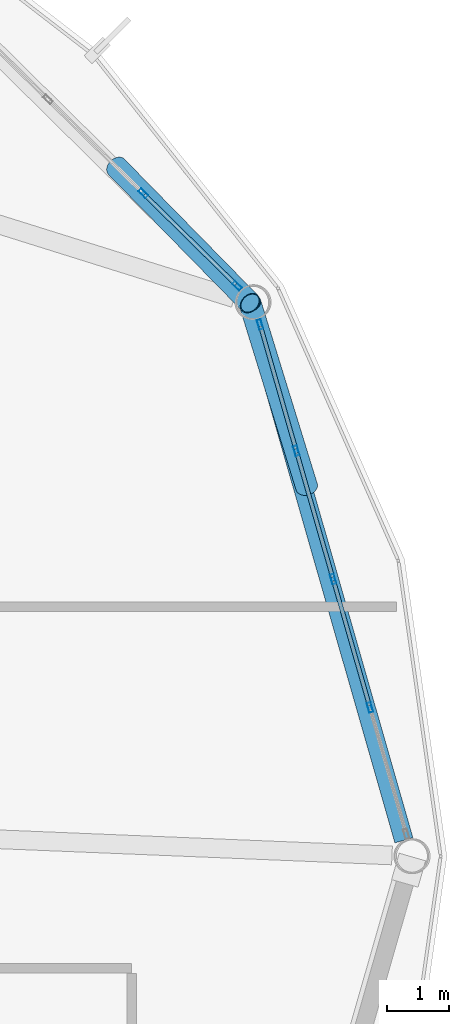
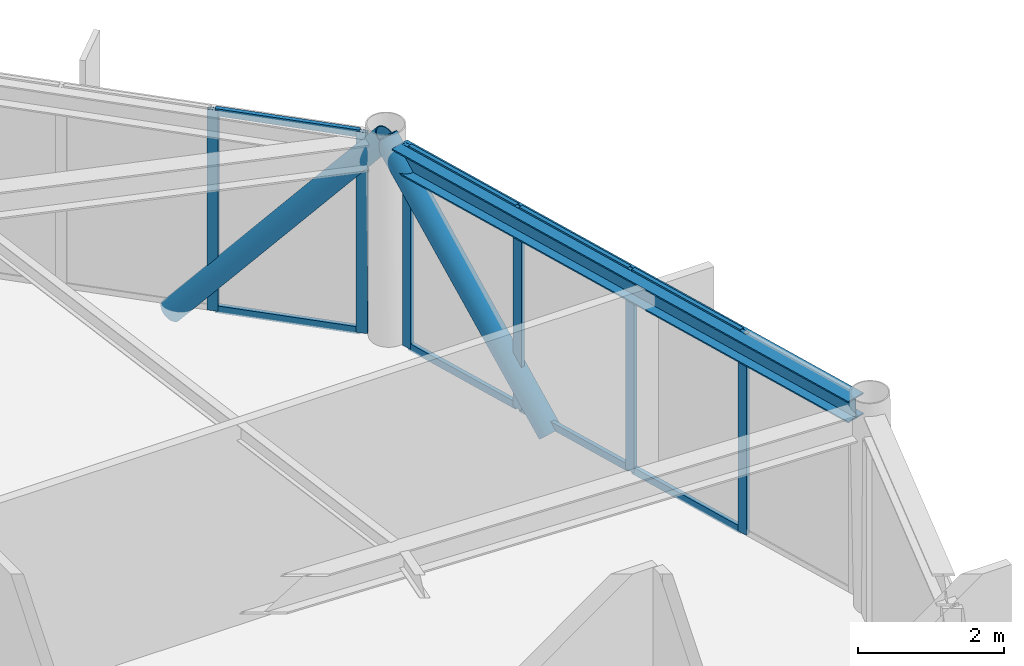
# One storey, part 17 of 26: 16 members, 1 beam, 2 elements without a shape of their own.
"""IFC4 building model written with IfcOpenShell, lengths in metres."""

from ifc_helpers import new_model, si_unit, direction, frame, origin, origin_2d, place, context, subcontext, project, spatial, hollow_rectangle, hollow_circle, i_section, extrude, material, layer, layer_set, material_profile, profile_set, type_object, element, aggregate, save


model = new_model("IFC4")

# Units and contexts
model_context = context("Model", 3, precision=1e-05, world=origin(), true_north=direction((0.0, 1.0)))
body_context = subcontext(model_context, "Body", "Model", "MODEL_VIEW")
ifc_project = project(units=[si_unit("LENGTHUNIT", "METRE"), si_unit("AREAUNIT", "SQUARE_METRE"), si_unit("VOLUMEUNIT", "CUBIC_METRE"), si_unit("PLANEANGLEUNIT", "RADIAN"), si_unit("MASSUNIT", "GRAM", prefix="KILO")], contexts=[model_context])

# Site, building, storey
site_placement = place(None, origin())
site = spatial("IfcSite", under=ifc_project, at=site_placement, CompositionType="ELEMENT")
building_placement = place(site_placement, origin())
building = spatial("IfcBuilding", under=site, at=building_placement, Name="Varnakorn Sky Granary", CompositionType="ELEMENT")
storey_placement = place(building_placement, frame((0.0, 0.0, 267.0)))
storey = spatial("IfcBuildingStorey", under=building, at=storey_placement, Name="L68", CompositionType="ELEMENT", Elevation=267.0)

# Beam
ifc_material_1 = material(Name="Steel S355JR", Category="steel")
ifc_material_profile_1 = material_profile(ifc_material_1, i_section(OverallWidth=0.300048828125, OverallDepth=0.360107421875, WebThickness=0.012451171875, FlangeThickness=0.0224609375, at=origin_2d()), Name="HE 360 B")
ifc_profile_set_1 = profile_set([ifc_material_profile_1], Name="Steel S355JR")
beam_type = type_object("IfcBeamType", Name="BM-SPD-Z5", PredefinedType="SPANDREL", material=ifc_profile_set_1)
beam_placement = place(storey_placement, frame((22.8662109375, 0.25439453125, 3.179931640625), z_axis=(-0.275429392242, 0.96132130419, 0.0), x_axis=(-0.96132130419, -0.275429392242, 0.0)))
element("IfcBeam", 1, at=beam_placement, inside=storey, type_object=beam_type, Name="Perimeter Spandrel Ring Beam RB01 L68", PredefinedType="SPANDREL", context=body_context, shape_type="SweptSolid", body=[
    extrude(i_section(OverallWidth=0.300048828125, OverallDepth=0.360107421875, WebThickness=0.012451171875, FlangeThickness=0.0224609375, at=origin_2d()), origin(), (0.0, 0.0, 1.0), 8.694580078125),
])

# Curtain wall, members
ifc_material_2 = material(Name="Anodised Bronze Aluminium Alloy 6063-T6", Category="aluminium")
ifc_layer = layer(ifc_material_2, 0.159912109375, Name="Anodised Bronze Aluminium Alloy 6063-T6")
ifc_layer_set = layer_set([ifc_layer], Name="Anodised Bronze Aluminium Alloy 6063-T6")
curtain_wall_type = type_object("IfcCurtainWallType", Name="CW-OFF-1", PredefinedType="USERDEFINED", material=ifc_layer_set)
curtain_wall_1_placement = place(storey_placement, origin())
curtain_wall_1 = element("IfcCurtainWall", 2, at=curtain_wall_1_placement, inside=storey, type_object=curtain_wall_type, Name="Unitised Curtain Wall CW6 CW-L68-B01", ObjectType="CURTAIN WALL", PredefinedType="USERDEFINED")
ifc_material_profile_2 = material_profile(ifc_material_2, hollow_rectangle(XDim=0.06494140625, YDim=0.159912109375, WallThickness=0.00341796875, at=origin_2d()), Name="ALU MULL 65x160")
ifc_profile_set_2 = profile_set([ifc_material_profile_2], Name="Anodised Bronze Aluminium Alloy 6063-T6")
member_type_1 = type_object("IfcMemberType", Name="CW-OFF-1-MULL", PredefinedType="MULLION", material=ifc_profile_set_2)
member_1_placement = place(storey_placement, frame((20.55908203125, 8.5263671875, 0.0), z_axis=(0.0, 0.0, 1.0), x_axis=(0.961203382368, 0.275840638274, 0.0)))
member_1 = element("IfcMember", 3, at=member_1_placement, type_object=member_type_1, Name="CW6 mullion 1", PredefinedType="MULLION", context=body_context, shape_type="SweptSolid", body=[
    extrude(hollow_rectangle(XDim=0.06494140625, YDim=0.159912109375, WallThickness=0.00341796875, at=origin_2d()), origin(), (0.0, 0.0, 1.0), 3.360107421875),
])
member_2_placement = place(storey_placement, frame((21.140869140625, 6.499755859375, 0.0), z_axis=(0.0, 0.0, 1.0), x_axis=(0.961203382368, 0.275840638274, 0.0)))
member_2 = element("IfcMember", 4, at=member_2_placement, type_object=member_type_1, Name="CW6 mullion 2", PredefinedType="MULLION", context=body_context, shape_type="SweptSolid", body=[
    extrude(hollow_rectangle(XDim=0.06494140625, YDim=0.159912109375, WallThickness=0.00341796875, at=origin_2d()), origin(), (0.0, 0.0, 1.0), 3.360107421875),
])
member_3_placement = place(storey_placement, frame((21.731201171875, 4.44189453125, 0.0), z_axis=(0.0, 0.0, 1.0), x_axis=(0.961203382368, 0.275840638274, 0.0)))
member_3 = element("IfcMember", 5, at=member_3_placement, type_object=member_type_1, Name="CW6 mullion 3", PredefinedType="MULLION", context=body_context, shape_type="SweptSolid", body=[
    extrude(hollow_rectangle(XDim=0.06494140625, YDim=0.159912109375, WallThickness=0.00341796875, at=origin_2d()), origin(), (0.0, 0.0, 1.0), 3.360107421875),
])
member_4_placement = place(storey_placement, frame((22.32177734375, 2.384033203125, 0.0), z_axis=(0.0, 0.0, 1.0), x_axis=(0.961203382368, 0.275840638274, 0.0)))
member_4 = element("IfcMember", 6, at=member_4_placement, type_object=member_type_1, Name="CW6 mullion 4", PredefinedType="MULLION", context=body_context, shape_type="SweptSolid", body=[
    extrude(hollow_rectangle(XDim=0.06494140625, YDim=0.159912109375, WallThickness=0.00341796875, at=origin_2d()), origin(), (0.0, 0.0, 1.0), 3.360107421875),
])

curtain_wall_2_placement = place(storey_placement, origin())
curtain_wall_2 = element("IfcCurtainWall", 7, at=curtain_wall_2_placement, inside=storey, type_object=curtain_wall_type, Name="Unitised Curtain Wall CW6 CW-L68-B02", ObjectType="CURTAIN WALL", PredefinedType="USERDEFINED")
member_5_placement = place(storey_placement, frame((18.686767578125, 10.629150390625, 0.0), z_axis=(0.0, 0.0, 1.0), x_axis=(0.702091405728, 0.71208683319, 0.0)))
member_5 = element("IfcMember", 8, at=member_5_placement, type_object=member_type_1, Name="CW6 mullion 4", PredefinedType="MULLION", context=body_context, shape_type="SweptSolid", body=[
    extrude(hollow_rectangle(XDim=0.06494140625, YDim=0.159912109375, WallThickness=0.00341796875, at=origin_2d()), origin(), (0.0, 0.0, 1.0), 3.360107421875),
])
member_6_placement = place(storey_placement, frame((20.191650390625, 9.145263671875, 0.0), z_axis=(0.0, 0.0, 1.0), x_axis=(0.702091405728, 0.71208683319, 0.0)))
member_6 = element("IfcMember", 9, at=member_6_placement, type_object=member_type_1, Name="CW6 mullion 5", PredefinedType="MULLION", context=body_context, shape_type="SweptSolid", body=[
    extrude(hollow_rectangle(XDim=0.06494140625, YDim=0.159912109375, WallThickness=0.00341796875, at=origin_2d()), origin(), (0.0, 0.0, 1.0), 3.360107421875),
])

# Member
ifc_material_profile_3 = material_profile(ifc_material_2, hollow_rectangle(XDim=0.06494140625, YDim=0.1201171875, WallThickness=0.00341796875, at=origin_2d()), Name="ALU TRAN 65x120")
ifc_profile_set_3 = profile_set([ifc_material_profile_3], Name="Anodised Bronze Aluminium Alloy 6063-T6")
member_type_2 = type_object("IfcMemberType", Name="CW-OFF-1-TRAN", PredefinedType="USERDEFINED", material=ifc_profile_set_3)
member_7_placement = place(storey_placement, frame((20.568115234375, 8.4951171875, 0.032470703125), z_axis=(0.275872871365, -0.961194131716, 0.0), x_axis=(0.961194131716, 0.275872871365, 0.0)))
member_7 = element("IfcMember", 10, at=member_7_placement, type_object=member_type_2, Name="CW6 transom 1.1", ObjectType="TRANSOM", PredefinedType="USERDEFINED", context=body_context, shape_type="SweptSolid", body=[
    extrude(hollow_rectangle(XDim=0.06494140625, YDim=0.1201171875, WallThickness=0.00341796875, at=origin_2d()), origin(), (0.0, 0.0, 1.0), 2.04345703125),
])

member_8_placement = place(storey_placement, frame((20.568115234375, 8.4951171875, 3.327392578125), z_axis=(0.275872871365, -0.961194131716, 0.0), x_axis=(0.961194131716, 0.275872871365, 0.0)))
member_8 = element("IfcMember", 11, at=member_8_placement, type_object=member_type_2, Name="CW6 transom 1.2", ObjectType="TRANSOM", PredefinedType="USERDEFINED", context=body_context, shape_type="SweptSolid", body=[
    extrude(hollow_rectangle(XDim=0.06494140625, YDim=0.1201171875, WallThickness=0.00341796875, at=origin_2d()), origin(), (0.0, 0.0, 1.0), 2.04345703125),
])

member_9_placement = place(storey_placement, frame((21.149658203125, 6.468505859375, 0.032470703125), z_axis=(0.275901409115, -0.961185940621, 0.0), x_axis=(0.961185940621, 0.275901409115, 0.0)))
member_9 = element("IfcMember", 12, at=member_9_placement, type_object=member_type_2, Name="CW6 transom 2.1", ObjectType="TRANSOM", PredefinedType="USERDEFINED", context=body_context, shape_type="SweptSolid", body=[
    extrude(hollow_rectangle(XDim=0.06494140625, YDim=0.1201171875, WallThickness=0.00341796875, at=origin_2d()), origin(), (0.0, 0.0, 1.0), 2.075927734375),
])

member_10_placement = place(storey_placement, frame((21.149658203125, 6.468505859375, 3.327392578125), z_axis=(0.275901409115, -0.961185940621, 0.0), x_axis=(0.961185940621, 0.275901409115, 0.0)))
member_10 = element("IfcMember", 13, at=member_10_placement, type_object=member_type_2, Name="CW6 transom 2.2", ObjectType="TRANSOM", PredefinedType="USERDEFINED", context=body_context, shape_type="SweptSolid", body=[
    extrude(hollow_rectangle(XDim=0.06494140625, YDim=0.1201171875, WallThickness=0.00341796875, at=origin_2d()), origin(), (0.0, 0.0, 1.0), 2.075927734375),
])

member_11_placement = place(storey_placement, frame((21.740234375, 4.41064453125, 0.032470703125), z_axis=(0.275901409115, -0.961185940621, 0.0), x_axis=(0.961185940621, 0.275901409115, 0.0)))
member_11 = element("IfcMember", 14, at=member_11_placement, type_object=member_type_2, Name="CW6 transom 3.1", ObjectType="TRANSOM", PredefinedType="USERDEFINED", context=body_context, shape_type="SweptSolid", body=[
    extrude(hollow_rectangle(XDim=0.06494140625, YDim=0.1201171875, WallThickness=0.00341796875, at=origin_2d()), origin(), (0.0, 0.0, 1.0), 2.075927734375),
])

member_12_placement = place(storey_placement, frame((21.740234375, 4.41064453125, 3.327392578125), z_axis=(0.275901409115, -0.961185940621, 0.0), x_axis=(0.961185940621, 0.275901409115, 0.0)))
member_12 = element("IfcMember", 15, at=member_12_placement, type_object=member_type_2, Name="CW6 transom 3.2", ObjectType="TRANSOM", PredefinedType="USERDEFINED", context=body_context, shape_type="SweptSolid", body=[
    extrude(hollow_rectangle(XDim=0.06494140625, YDim=0.1201171875, WallThickness=0.00341796875, at=origin_2d()), origin(), (0.0, 0.0, 1.0), 2.075927734375),
])

aggregate(curtain_wall_1, [member_1, member_2, member_3, member_4, member_7, member_8, member_9, member_10, member_11, member_12])

member_13_placement = place(storey_placement, frame((18.709716796875, 10.606201171875, 0.032470703125), z_axis=(0.712094582658, -0.702083545847, 0.0), x_axis=(0.702083545847, 0.712094582658, 0.0)))
member_13 = element("IfcMember", 16, at=member_13_placement, type_object=member_type_2, Name="CW6 transom 4.1", ObjectType="TRANSOM", PredefinedType="USERDEFINED", context=body_context, shape_type="SweptSolid", body=[
    extrude(hollow_rectangle(XDim=0.06494140625, YDim=0.1201171875, WallThickness=0.00341796875, at=origin_2d()), origin(), (0.0, 0.0, 1.0), 2.048583984375),
])

member_14_placement = place(storey_placement, frame((18.709716796875, 10.606201171875, 3.327392578125), z_axis=(0.712094582658, -0.702083545847, 0.0), x_axis=(0.702083545847, 0.712094582658, 0.0)))
member_14 = element("IfcMember", 17, at=member_14_placement, type_object=member_type_2, Name="CW6 transom 4.2", ObjectType="TRANSOM", PredefinedType="USERDEFINED", context=body_context, shape_type="SweptSolid", body=[
    extrude(hollow_rectangle(XDim=0.06494140625, YDim=0.1201171875, WallThickness=0.00341796875, at=origin_2d()), origin(), (0.0, 0.0, 1.0), 2.048583984375),
])

aggregate(curtain_wall_2, [member_5, member_6, member_13, member_14])

# Members
ifc_material_3 = material(Name="Steel S460M", Category="steel")
ifc_material_profile_4 = material_profile(ifc_material_3, hollow_circle(Radius=0.177734375, WallThickness=0.01416015625, at=origin_2d()), Name="CHS 355.6x14")
ifc_profile_set_4 = profile_set([ifc_material_profile_4], Name="Steel S460M")
member_type_3 = type_object("IfcMemberType", Name="MB-DIAG-T5", PredefinedType="BRACE", material=ifc_profile_set_4)
member_15_placement = place(storey_placement, frame((21.306396484375, 5.922607421875, -0.1298828125), z_axis=(-0.19497952064, 0.632451054038, 0.749659023008), x_axis=(-0.955617818258, -0.294609207984, 0.0)))
element("IfcMember", 18, at=member_15_placement, inside=storey, type_object=member_type_3, Name="Perimeter CHS Diagrid Brace DG01 L68", PredefinedType="BRACE", context=body_context, shape_type="SweptSolid", body=[
    extrude(hollow_circle(Radius=0.177734375, WallThickness=0.01416015625, at=origin_2d()), origin(), (0.0, 0.0, 1.0), 4.655517578125),
])
member_16_placement = place(storey_placement, frame((18.2578125, 11.0517578125, -0.1298828125), z_axis=(0.461317436756, -0.470786833337, 0.752027911783), x_axis=(0.714253534659, 0.699887053908, 0.0)))
element("IfcMember", 19, at=member_16_placement, inside=storey, type_object=member_type_3, Name="Perimeter CHS Diagrid Brace DG02 L68", PredefinedType="BRACE", context=body_context, shape_type="SweptSolid", body=[
    extrude(hollow_circle(Radius=0.177734375, WallThickness=0.01416015625, at=origin_2d()), origin(), (0.0, 0.0, 1.0), 4.640869140625),
])

save(model, "model.ifc")
